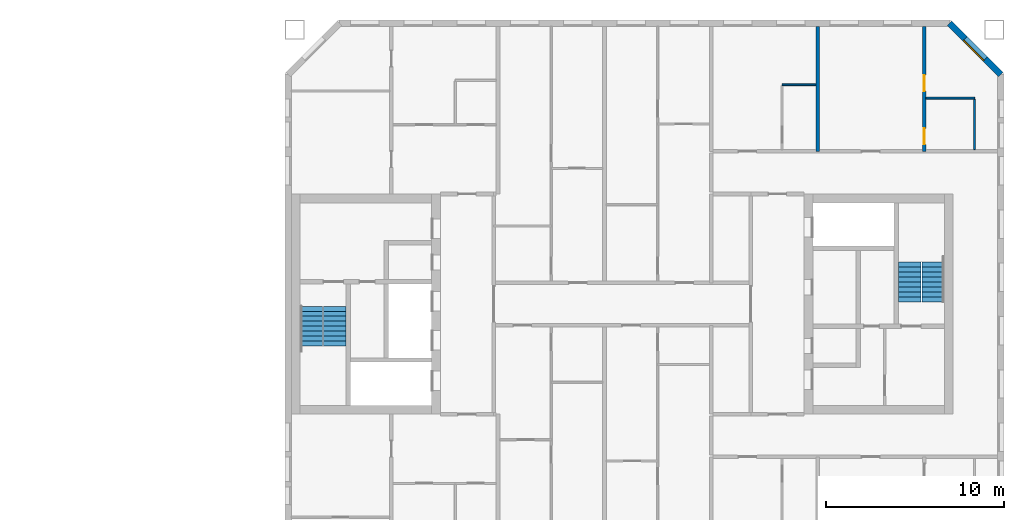
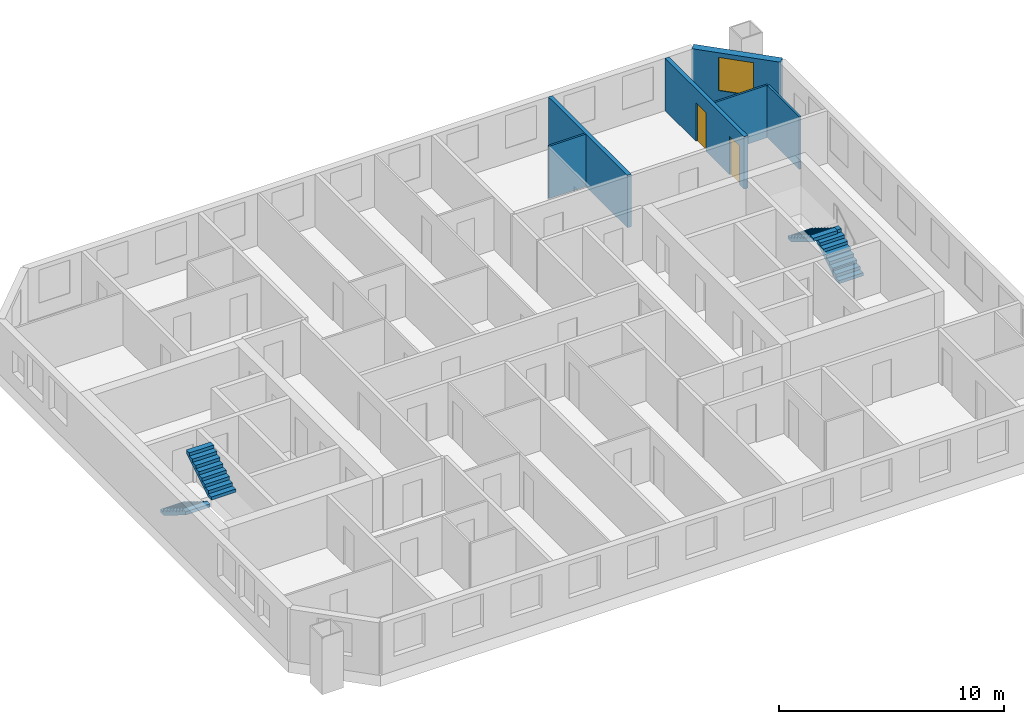
# One storey, part 13 of 15: 6 walls, 4 stair flights, 2 doors, 1 window, 3 openings, 2 elements without a shape of their own.
"""IFC4 building model written with IfcOpenShell, lengths in metres."""

import ifcopenshell
import ifcopenshell.guid

model = None  # the IFC model being written
_history = None  # IfcOwnerHistory: only IFC2X3 demands one
_inside = {}  # id of a spatial element -> (the spatial element, [elements in it])
_under = {}  # id of a project, library or spatial element -> (it, [spatial elements below it])
_declared = {}  # id of a project -> (the project, [libraries it declares])
_typed = {}  # id of a type object -> (the type object, [elements of that type])
_made_of = {}  # id of a material, layer set ... -> (it, [elements and type objects made of it])


def new_model(schema):
    """Start an empty IFC model of exactly this schema.

    Asked for "IFC4X3", IfcOpenShell would pick the latest addendum, in which some entities
    have other attributes; the version numbers below select the first issue.
    IFC2X3 requires an IfcOwnerHistory on every rooted entity: one is made here for all.
    """
    global model, _history
    if schema == "IFC4X3":
        model = ifcopenshell.file(schema_version=(4, 3, 0, 0))
    else:
        model = ifcopenshell.file(schema=schema)
    _inside.clear()
    _under.clear()
    _declared.clear()
    _typed.clear()
    _made_of.clear()
    _history = None
    if model.schema == "IFC2X3":
        org = make("IfcOrganization", Name="unknown")
        user = make(
            "IfcPersonAndOrganization",
            ThePerson=make("IfcPerson", FamilyName="unknown"),
            TheOrganization=org,
        )
        app = make(
            "IfcApplication",
            ApplicationDeveloper=org,
            Version="unknown",
            ApplicationFullName="unknown",
            ApplicationIdentifier="unknown",
        )
        _history = make(
            "IfcOwnerHistory",
            OwningUser=user,
            OwningApplication=app,
            ChangeAction="ADDED",
            CreationDate=0,
        )
    return model


def make(cls, **values):
    """One entity of the class cls with the attributes given. An attribute that is None is left unset."""
    return model.create_entity(
        cls, **{name: value for name, value in values.items() if value is not None}
    )


def rooted(cls, **values):
    """An entity with a GlobalId (a new one), such as an element, a storey or a relation."""
    return make(cls, GlobalId=ifcopenshell.guid.new(), OwnerHistory=_history, **values)


def si_unit(unit_type, name, prefix=None):
    """IfcSIUnit, for example si_unit("LENGTHUNIT", "METRE", prefix="MILLI")."""
    return make("IfcSIUnit", UnitType=unit_type, Prefix=prefix, Name=name)


def assignment(units):
    """IfcUnitAssignment: the units of a project."""
    return None if units is None else make("IfcUnitAssignment", Units=units)


def point(xyz):
    """IfcCartesianPoint."""
    return None if xyz is None else make("IfcCartesianPoint", Coordinates=xyz)


def direction(xyz):
    """IfcDirection."""
    return None if xyz is None else make("IfcDirection", DirectionRatios=xyz)


def frame(location, z_axis=None, x_axis=None):
    """IfcAxis2Placement3D, a coordinate frame: its origin and axes. An axis left out is left unset."""
    return make(
        "IfcAxis2Placement3D",
        Location=point(location),
        Axis=direction(z_axis),
        RefDirection=direction(x_axis),
    )


def frame_2d(location, x_axis=None):
    """IfcAxis2Placement2D, a coordinate frame in the plane: its origin and x axis."""
    return make(
        "IfcAxis2Placement2D", Location=point(location), RefDirection=direction(x_axis)
    )


def origin():
    """The frame at (0, 0, 0) with its axes left unset."""
    return frame((0.0, 0.0, 0.0))


def place(relative_to, where):
    """IfcLocalPlacement: puts the frame where relative to a parent placement (None: the world)."""
    return make(
        "IfcLocalPlacement", PlacementRelTo=relative_to, RelativePlacement=where
    )


def context(
    kind, dimensions, precision=None, world=None, true_north=None, identifier=None
):
    """IfcGeometricRepresentationContext, for example the 3D "Model" context."""
    return make(
        "IfcGeometricRepresentationContext",
        ContextIdentifier=identifier,
        ContextType=kind,
        CoordinateSpaceDimension=dimensions,
        Precision=precision,
        WorldCoordinateSystem=world,
        TrueNorth=true_north,
    )


def subcontext(parent, identifier, kind, view, scale=None):
    """IfcGeometricRepresentationSubContext, for example "Body" below "Model"."""
    return make(
        "IfcGeometricRepresentationSubContext",
        ContextIdentifier=identifier,
        ContextType=kind,
        ParentContext=parent,
        TargetScale=scale,
        TargetView=view,
    )


def project(units=None, contexts=None):
    """IfcProject with its units and contexts."""
    return rooted(
        "IfcProject",
        Name="project",
        RepresentationContexts=contexts,
        UnitsInContext=assignment(units),
    )


def spatial(cls, under=None, at=None, **own):
    """A site, building, storey or space (cls), placed at a placement, below another one or the project."""
    s = rooted(cls, ObjectPlacement=at, **own)
    if under is not None:
        _under.setdefault(under.id(), (under, []))[1].append(s)
    return s


def polyline(points):
    """IfcPolyline through the points."""
    return make("IfcPolyline", Points=[point(p) for p in points])


def profile(cls, at=None, kind="AREA", **sizes):
    """A parametric profile (cls). Its sizes go by their IFC names, for example OverallWidth=200.0."""
    return make(cls, ProfileType=kind, Position=at, **sizes)


def rectangle(**sizes):
    """IfcRectangleProfileDef."""
    return profile("IfcRectangleProfileDef", **sizes)


def outline(outer, holes=None, kind="AREA"):
    """IfcArbitraryClosedProfileDef: a profile drawn as a closed curve; with holes, ...WithVoids."""
    if holes is None:
        return make("IfcArbitraryClosedProfileDef", ProfileType=kind, OuterCurve=outer)
    return make(
        "IfcArbitraryProfileDefWithVoids",
        ProfileType=kind,
        OuterCurve=outer,
        InnerCurves=holes,
    )


def extrude(swept, where, along, depth):
    """IfcExtrudedAreaSolid: the profile swept, set in the frame where, extruded along a direction by depth."""
    return make(
        "IfcExtrudedAreaSolid",
        SweptArea=swept,
        Position=where,
        ExtrudedDirection=direction(along),
        Depth=depth,
    )


def shape(context_of_items, identifier, shape_type, items):
    """IfcShapeRepresentation: the items that make up one representation, for example the "Body"."""
    return make(
        "IfcShapeRepresentation",
        ContextOfItems=context_of_items,
        RepresentationIdentifier=identifier,
        RepresentationType=shape_type,
        Items=items,
    )


def material(Name=None, Category=None):
    """IfcMaterial."""
    return make("IfcMaterial", Name=Name, Category=Category)


def layer(
    of_material, thickness, ventilated=None, Name=None, Category=None, Priority=None
):
    """IfcMaterialLayer: one layer of a wall or slab, of a material (None: an air gap)."""
    return make(
        "IfcMaterialLayer",
        Material=of_material,
        LayerThickness=thickness,
        IsVentilated=ventilated,
        Name=Name,
        Category=Category,
        Priority=Priority,
    )


def layer_set(layers, Name=None):
    """IfcMaterialLayerSet."""
    return make("IfcMaterialLayerSet", MaterialLayers=layers, LayerSetName=Name)


def made_of(thing, what):
    """Note that an element or type object is made of a material, layer set ...; save() writes the relation."""
    if what is not None:
        _made_of.setdefault(what.id(), (what, []))[1].append(thing)
    return thing


def type_object(cls, material=None, **own):
    """A type object (cls), such as IfcWallType, which elements share."""
    return made_of(rooted(cls, **own), material)


def element(
    cls,
    number,
    at=None,
    inside=None,
    cuts=None,
    type_object=None,
    material=None,
    context=None,
    identifier="Body",
    shape_type=None,
    held_by="IfcProductDefinitionShape",
    body=None,
    shapes=None,
    **own,
):
    """One element of the class cls, such as IfcWall. Its Tag is "e" and its number.

    at: its placement. inside: the storey or other place that contains it. cuts: it is an
    opening in that element (IfcRelVoidsElement). A single representation is given by context,
    identifier, shape_type and body (its items); several are given by shapes. held_by: the class
    of the entity that holds the representations. save() writes the other relations.
    """
    e = rooted(cls, Tag="e%d" % number, ObjectPlacement=at, **own)
    if body is not None:
        shapes = [shape(context, identifier, shape_type, body)]
    if shapes is not None:
        e.Representation = make(held_by, Representations=shapes)
    if inside is not None:
        _inside.setdefault(inside.id(), (inside, []))[1].append(e)
    if cuts is not None:
        rooted(
            "IfcRelVoidsElement", RelatingBuildingElement=cuts, RelatedOpeningElement=e
        )
    if type_object is not None:
        _typed.setdefault(type_object.id(), (type_object, []))[1].append(e)
    return made_of(e, material)


def fill(opening, filler):
    """IfcRelFillsElement: the door or window that sits in an opening."""
    return rooted(
        "IfcRelFillsElement",
        RelatingOpeningElement=opening,
        RelatedBuildingElement=filler,
    )


def aggregate(whole, parts):
    """IfcRelAggregates: a whole, such as a stair, and the parts it consists of."""
    return rooted("IfcRelAggregates", RelatingObject=whole, RelatedObjects=parts)


def save(model, path):
    """Write the relations noted so far, then the file.

    IfcRelAggregates (storeys below a building ...), IfcRelContainedInSpatialStructure (elements
    in a storey), IfcRelDefinesByType, IfcRelAssociatesMaterial and IfcRelDeclares: one each for
    every whole, place, type object, material and project.
    """
    for whole, parts in _under.values():
        aggregate(whole, parts)
    for where, things in _inside.values():
        rooted(
            "IfcRelContainedInSpatialStructure",
            RelatedElements=things,
            RelatingStructure=where,
        )
    for kind, things in _typed.values():
        rooted("IfcRelDefinesByType", RelatedObjects=things, RelatingType=kind)
    for what, things in _made_of.values():
        rooted("IfcRelAssociatesMaterial", RelatedObjects=things, RelatingMaterial=what)
    for by, libraries in _declared.values():
        rooted("IfcRelDeclares", RelatingContext=by, RelatedDefinitions=libraries)
    model.write(path)


model = new_model("IFC4")

# Units and contexts
model_context = context("Model", 3, precision=1e-05, world=origin(), true_north=direction((0.0, 1.0)))
body_context = subcontext(model_context, "Body", "Model", "MODEL_VIEW")
ifc_project = project(units=[si_unit("LENGTHUNIT", "METRE"), si_unit("AREAUNIT", "SQUARE_METRE"), si_unit("VOLUMEUNIT", "CUBIC_METRE"), si_unit("PLANEANGLEUNIT", "RADIAN"), si_unit("MASSUNIT", "GRAM", prefix="KILO")], contexts=[model_context])

# Site, building, storey
site_placement = place(None, origin())
site = spatial("IfcSite", under=ifc_project, at=site_placement, CompositionType="ELEMENT")
building_placement = place(site_placement, origin())
building = spatial("IfcBuilding", under=site, at=building_placement, Name="Tuart Gate Housing", CompositionType="ELEMENT")
storey_placement = place(building_placement, frame((0.0, 0.0, 148.5)))
storey = spatial("IfcBuildingStorey", under=building, at=storey_placement, Name="L41", CompositionType="ELEMENT", Elevation=148.5)

# Wall, opening, window
ifc_material_1 = material(Name="Brick", Category="masonry")
ifc_layer_1 = layer(ifc_material_1, 0.360107421875)
ifc_layer_set_1 = layer_set([ifc_layer_1], Name="Brick pier and spandrel wall 360")
wall_type_1 = type_object("IfcWallType", Name="Brick pier and spandrel wall 360", PredefinedType="STANDARD", material=ifc_layer_set_1)
wall_1_placement = place(storey_placement, frame((171.320068359375, 82.92529296875, 0.0), z_axis=(0.0, 0.0, 1.0), x_axis=(-0.707106781187, 0.707106781187, 0.0)))
wall_1 = element("IfcWall", 1, at=wall_1_placement, inside=storey, type_object=wall_type_1, Name="External wall B-NE L41", PredefinedType="STANDARD", context=body_context, shape_type="SweptSolid", body=[
    extrude(rectangle(XDim=4.09375, YDim=0.360107421875, at=frame_2d((2.046875, 0.0))), origin(), (0.0, 0.0, 1.0), 2.85009765625),
])
opening_1_placement = place(wall_1_placement, frame((1.2470703125, 0.0, 0.800048828125)))
opening_1 = element("IfcOpeningElement", 2, at=opening_1_placement, cuts=wall_1, Name="Opening W1", PredefinedType="OPENING", context=body_context, shape_type="SweptSolid", body=[
    extrude(rectangle(XDim=1.60009765625, YDim=1.800048828125, at=frame_2d((0.800048828125, 0.89990234375))), frame((0.0, 0.18994140625, 0.0), z_axis=(0.0, -1.0, 0.0), x_axis=(1.0, 0.0, 0.0)), (0.0, 0.0, 1.0), 0.380126953125),
])
ifc_material_2 = material(Name="Aluminium frame with clear glass", Category="aluminium")
window_type = type_object("IfcWindowType", Name="Punched window 1600 x 1800", PartitioningType="SINGLE_PANEL", PredefinedType="WINDOW", material=ifc_material_2)
window_placement = place(opening_1_placement, origin())
window = element("IfcWindow", 3, at=window_placement, inside=storey, type_object=window_type, Name="Window W1", OverallHeight=1.800048828125, OverallWidth=1.60009765625, PartitioningType="SINGLE_PANEL", PredefinedType="WINDOW", context=body_context, shape_type="SweptSolid", body=[
    extrude(rectangle(XDim=1.60009765625, YDim=1.800048828125, at=frame_2d((0.800048828125, 0.89990234375))), frame((0.0, 0.150146484375, 0.0), z_axis=(0.0, -1.0, 0.0), x_axis=(1.0, 0.0, 0.0)), (0.0, 0.0, 1.0), 0.06005859375),
])
fill(opening_1, window)

# Walls
ifc_material_3 = material(Name="Gypsum board on steel studs", Category="steel")
ifc_layer_2 = layer(ifc_material_3, 0.10009765625)
ifc_layer_set_2 = layer_set([ifc_layer_2], Name="Partition 100")
wall_type_2 = type_object("IfcWallType", Name="Partition 100", PredefinedType="PARTITIONING", material=ifc_layer_set_2)
wall_2_placement = place(storey_placement, frame((167.10009765625, 81.60009765625, 0.0), z_axis=(0.0, 0.0, 1.0), x_axis=(1.0, 0.0, 0.0)))
element("IfcWall", 4, at=wall_2_placement, inside=storey, type_object=wall_type_2, Name="Partition 100", PredefinedType="PARTITIONING", context=body_context, shape_type="SweptSolid", body=[
    extrude(rectangle(XDim=2.739990234375, YDim=0.10009765625, at=frame_2d((1.3701171875, 0.0))), origin(), (0.0, 0.0, 1.0), 2.85009765625),
])
wall_3_placement = place(storey_placement, frame((159.0, 82.35009765625, 0.0), z_axis=(0.0, 0.0, 1.0), x_axis=(1.0, 0.0, 0.0)))
element("IfcWall", 5, at=wall_3_placement, inside=storey, type_object=wall_type_2, Name="Partition 100", PredefinedType="PARTITIONING", context=body_context, shape_type="SweptSolid", body=[
    extrude(rectangle(XDim=1.89990234375, YDim=0.10009765625, at=frame_2d((0.949951171875, 0.0))), origin(), (0.0, 0.0, 1.0), 2.85009765625),
])
wall_4_placement = place(storey_placement, frame((169.840087890625, 78.699951171875, 0.0), z_axis=(0.0, 0.0, 1.0), x_axis=(0.0, 1.0, 0.0)))
element("IfcWall", 6, at=wall_4_placement, inside=storey, type_object=wall_type_2, Name="Partition 100", PredefinedType="PARTITIONING", context=body_context, shape_type="SweptSolid", body=[
    extrude(rectangle(XDim=2.85009765625, YDim=0.10009765625, at=frame_2d((1.425048828125, 0.0))), origin(), (0.0, 0.0, 1.0), 2.85009765625),
])
ifc_material_4 = material(Name="Concrete C40", Category="concrete")
ifc_layer_3 = layer(ifc_material_4, 0.199951171875)
ifc_layer_set_3 = layer_set([ifc_layer_3], Name="Party wall concrete C40 200")
wall_type_3 = type_object("IfcWallType", Name="Party wall concrete C40 200", PredefinedType="SOLIDWALL", material=ifc_layer_set_3)
wall_5_placement = place(storey_placement, frame((161.0, 78.60009765625, 0.0), z_axis=(0.0, 0.0, 1.0), x_axis=(0.0, 1.0, 0.0)))
element("IfcWall", 7, at=wall_5_placement, inside=storey, type_object=wall_type_3, Name="Party wall concrete C40 200", PredefinedType="SOLIDWALL", context=body_context, shape_type="SweptSolid", body=[
    extrude(rectangle(XDim=7.039794921875, YDim=0.199951171875, at=frame_2d((3.52001953125, 0.0))), origin(), (0.0, 0.0, 1.0), 2.85009765625),
])

# Wall, openings, doors
wall_6_placement = place(storey_placement, frame((167.0, 78.60009765625, 0.0), z_axis=(0.0, 0.0, 1.0), x_axis=(0.0, 1.0, 0.0)))
wall_6 = element("IfcWall", 8, at=wall_6_placement, inside=storey, type_object=wall_type_3, Name="Party wall concrete C40 200", PredefinedType="SOLIDWALL", context=body_context, shape_type="SweptSolid", body=[
    extrude(rectangle(XDim=7.039794921875, YDim=0.199951171875, at=frame_2d((3.52001953125, 0.0))), origin(), (0.0, 0.0, 1.0), 2.85009765625),
])
opening_2_placement = place(wall_6_placement, frame((3.39990234375, 0.0, 0.0)))
opening_2 = element("IfcOpeningElement", 9, at=opening_2_placement, cuts=wall_6, Name="Opening D1574", PredefinedType="OPENING", context=body_context, shape_type="SweptSolid", body=[
    extrude(rectangle(XDim=0.89990234375, YDim=2.10009765625, at=frame_2d((0.449951171875, 1.050048828125))), frame((0.0, 0.10986328125, 0.0), z_axis=(0.0, -1.0, 0.0), x_axis=(1.0, 0.0, 0.0)), (0.0, 0.0, 1.0), 0.219970703125),
])
opening_3_placement = place(wall_6_placement, frame((0.39990234375, 0.0, 0.0)))
opening_3 = element("IfcOpeningElement", 10, at=opening_3_placement, cuts=wall_6, Name="Opening D1573", PredefinedType="OPENING", context=body_context, shape_type="SweptSolid", body=[
    extrude(rectangle(XDim=0.89990234375, YDim=2.10009765625, at=frame_2d((0.449951171875, 1.050048828125))), frame((0.0, 0.10986328125, 0.0), z_axis=(0.0, -1.0, 0.0), x_axis=(1.0, 0.0, 0.0)), (0.0, 0.0, 1.0), 0.219970703125),
])
ifc_material_5 = material(Name="Timber door leaf in steel frame", Category="steel")
door_type_1 = type_object("IfcDoorType", Name="Bathroom door 900 RH", OperationType="SINGLE_SWING_RIGHT", PredefinedType="DOOR", material=ifc_material_5)
door_1_placement = place(opening_3_placement, frame((0.89990234375, 0.0, 0.0), z_axis=(0.0, 0.0, 1.0), x_axis=(-1.0, 0.0, 0.0)))
door_1 = element("IfcDoor", 11, at=door_1_placement, inside=storey, type_object=door_type_1, Name="Bathroom door", OperationType="SINGLE_SWING_RIGHT", OverallHeight=2.10009765625, OverallWidth=0.89990234375, PredefinedType="DOOR", context=body_context, shape_type="SweptSolid", body=[
    extrude(rectangle(XDim=0.89990234375, YDim=2.10009765625, at=frame_2d((0.449951171875, 1.050048828125))), frame((0.0, 0.025146484375, 0.0), z_axis=(0.0, -1.0, 0.0), x_axis=(1.0, 0.0, 0.0)), (0.0, 0.0, 1.0), 0.050048828125),
])
fill(opening_3, door_1)
ifc_material_6 = material(Name="Timber door leaf in steel frame", Category="steel")
door_type_2 = type_object("IfcDoorType", Name="Internal door 900 RH", OperationType="SINGLE_SWING_RIGHT", PredefinedType="DOOR", material=ifc_material_6)
door_2_placement = place(opening_2_placement, frame((0.89990234375, 0.0, 0.0), z_axis=(0.0, 0.0, 1.0), x_axis=(-1.0, 0.0, 0.0)))
door_2 = element("IfcDoor", 12, at=door_2_placement, inside=storey, type_object=door_type_2, Name="Internal door", OperationType="SINGLE_SWING_RIGHT", OverallHeight=2.10009765625, OverallWidth=0.89990234375, PredefinedType="DOOR", context=body_context, shape_type="SweptSolid", body=[
    extrude(rectangle(XDim=0.89990234375, YDim=2.10009765625, at=frame_2d((0.449951171875, 1.050048828125))), frame((0.0, 0.025146484375, 0.0), z_axis=(0.0, -1.0, 0.0), x_axis=(1.0, 0.0, 0.0)), (0.0, 0.0, 1.0), 0.050048828125),
])
fill(opening_2, door_2)

# Stair, stair flights
ifc_material_7 = material(Name="Concrete C40", Category="concrete")
stair_type = type_object("IfcStairType", Name="Core stair 1250", PredefinedType="HALF_TURN_STAIR", material=ifc_material_7)
stair_1_placement = place(storey_placement, origin())
stair_1 = element("IfcStair", 13, at=stair_1_placement, inside=storey, type_object=stair_type, Name="Stair SB1", PredefinedType="HALF_TURN_STAIR")
ifc_material_8 = material(Name="Concrete C40", Category="concrete")
stair_flight_type = type_object("IfcStairFlightType", Name="Stair flight 1250, 9 risers 172 x 280", PredefinedType="STRAIGHT", material=ifc_material_8)
stair_flight_1_placement = place(storey_placement, frame((132.485107421875, 69.875, 0.0), z_axis=(0.0, 0.0, 1.0), x_axis=(0.0, -1.0, 0.0)))
stair_flight_1 = element("IfcStairFlight", 14, at=stair_flight_1_placement, type_object=stair_flight_type, Name="SB1 flight 1", NumberOfRisers=9, NumberOfTreads=8, PredefinedType="STRAIGHT", RiserHeight=0.172222222, TreadLength=0.28, context=body_context, shape_type="SweptSolid", body=[
    extrude(outline(polyline([(0.0, 0.0), (0.0, 0.172119140625), (0.280029296875, 0.172119140625), (0.280029296875, 0.344482421875), (0.56005859375, 0.344482421875), (0.56005859375, 0.5166015625), (0.840087890625, 0.5166015625), (0.840087890625, 0.68896484375), (1.1201171875, 0.68896484375), (1.1201171875, 0.861083984375), (1.39990234375, 0.861083984375), (1.39990234375, 1.033447265625), (1.679931640625, 1.033447265625), (1.679931640625, 1.20556640625), (1.9599609375, 1.20556640625), (1.9599609375, 1.377685546875), (2.239990234375, 1.377685546875), (2.239990234375, 1.550048828125), (2.239990234375, 1.201904296875), (0.2861328125, 0.0), (0.0, 0.0)])), frame((0.0, 0.625, 0.0), z_axis=(0.0, -1.0, 0.0), x_axis=(1.0, 0.0, 0.0)), (0.0, 0.0, 1.0), 1.25),
])
stair_flight_2_placement = place(storey_placement, frame((133.81005859375, 67.635009765625, 1.550048828125), z_axis=(0.0, 0.0, 1.0), x_axis=(0.0, 1.0, 0.0)))
stair_flight_2 = element("IfcStairFlight", 15, at=stair_flight_2_placement, type_object=stair_flight_type, Name="SB1 flight 2", NumberOfRisers=9, NumberOfTreads=8, PredefinedType="STRAIGHT", RiserHeight=0.172222222, TreadLength=0.28, context=body_context, shape_type="SweptSolid", body=[
    extrude(outline(polyline([(0.0, 0.0), (0.0, 0.172119140625), (0.280029296875, 0.172119140625), (0.280029296875, 0.344482421875), (0.56005859375, 0.344482421875), (0.56005859375, 0.5166015625), (0.840087890625, 0.5166015625), (0.840087890625, 0.68896484375), (1.1201171875, 0.68896484375), (1.1201171875, 0.861083984375), (1.39990234375, 0.861083984375), (1.39990234375, 1.033447265625), (1.679931640625, 1.033447265625), (1.679931640625, 1.20556640625), (1.9599609375, 1.20556640625), (1.9599609375, 1.377685546875), (2.239990234375, 1.377685546875), (2.239990234375, 1.550048828125), (2.239990234375, 1.201904296875), (0.2861328125, 0.0), (0.0, 0.0)])), frame((0.0, 0.625, 0.0), z_axis=(0.0, -1.0, 0.0), x_axis=(1.0, 0.0, 0.0)), (0.0, 0.0, 1.0), 1.25),
])
aggregate(stair_1, [stair_flight_1, stair_flight_2])

stair_2_placement = place(storey_placement, origin())
stair_2 = element("IfcStair", 16, at=stair_2_placement, inside=storey, type_object=stair_type, Name="Stair SB2", PredefinedType="HALF_TURN_STAIR")
stair_flight_3_placement = place(storey_placement, frame((167.514892578125, 70.125, 0.0), z_axis=(0.0, 0.0, 1.0), x_axis=(0.0, 1.0, 0.0)))
stair_flight_3 = element("IfcStairFlight", 17, at=stair_flight_3_placement, type_object=stair_flight_type, Name="SB2 flight 1", NumberOfRisers=9, NumberOfTreads=8, PredefinedType="STRAIGHT", RiserHeight=0.172222222, TreadLength=0.28, context=body_context, shape_type="SweptSolid", body=[
    extrude(outline(polyline([(0.0, 0.0), (0.0, 0.172119140625), (0.280029296875, 0.172119140625), (0.280029296875, 0.344482421875), (0.56005859375, 0.344482421875), (0.56005859375, 0.5166015625), (0.840087890625, 0.5166015625), (0.840087890625, 0.68896484375), (1.1201171875, 0.68896484375), (1.1201171875, 0.861083984375), (1.39990234375, 0.861083984375), (1.39990234375, 1.033447265625), (1.679931640625, 1.033447265625), (1.679931640625, 1.20556640625), (1.9599609375, 1.20556640625), (1.9599609375, 1.377685546875), (2.239990234375, 1.377685546875), (2.239990234375, 1.550048828125), (2.239990234375, 1.201904296875), (0.2861328125, 0.0), (0.0, 0.0)])), frame((0.0, 0.625, 0.0), z_axis=(0.0, -1.0, 0.0), x_axis=(1.0, 0.0, 0.0)), (0.0, 0.0, 1.0), 1.25),
])
stair_flight_4_placement = place(storey_placement, frame((166.18994140625, 72.364990234375, 1.550048828125), z_axis=(0.0, 0.0, 1.0), x_axis=(0.0, -1.0, 0.0)))
stair_flight_4 = element("IfcStairFlight", 18, at=stair_flight_4_placement, type_object=stair_flight_type, Name="SB2 flight 2", NumberOfRisers=9, NumberOfTreads=8, PredefinedType="STRAIGHT", RiserHeight=0.172222222, TreadLength=0.28, context=body_context, shape_type="SweptSolid", body=[
    extrude(outline(polyline([(0.0, 0.0), (0.0, 0.172119140625), (0.280029296875, 0.172119140625), (0.280029296875, 0.344482421875), (0.56005859375, 0.344482421875), (0.56005859375, 0.5166015625), (0.840087890625, 0.5166015625), (0.840087890625, 0.68896484375), (1.1201171875, 0.68896484375), (1.1201171875, 0.861083984375), (1.39990234375, 0.861083984375), (1.39990234375, 1.033447265625), (1.679931640625, 1.033447265625), (1.679931640625, 1.20556640625), (1.9599609375, 1.20556640625), (1.9599609375, 1.377685546875), (2.239990234375, 1.377685546875), (2.239990234375, 1.550048828125), (2.239990234375, 1.201904296875), (0.2861328125, 0.0), (0.0, 0.0)])), frame((0.0, 0.625, 0.0), z_axis=(0.0, -1.0, 0.0), x_axis=(1.0, 0.0, 0.0)), (0.0, 0.0, 1.0), 1.25),
])
aggregate(stair_2, [stair_flight_3, stair_flight_4])

save(model, "model.ifc")
